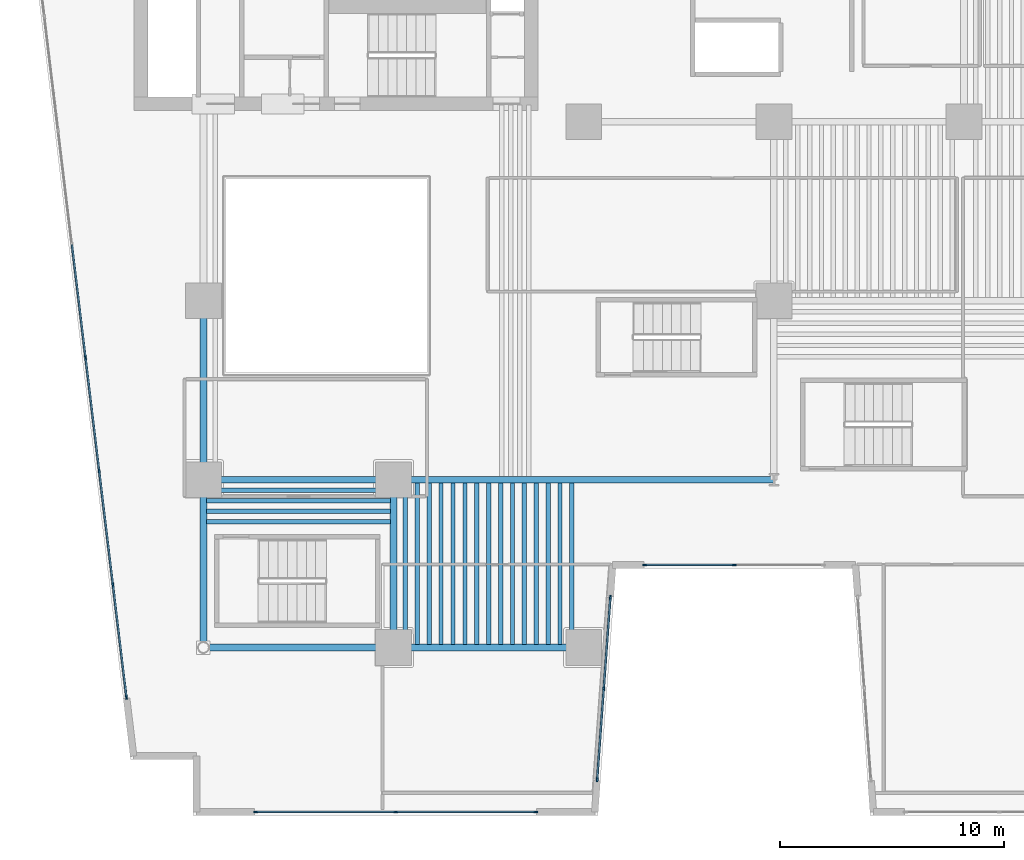
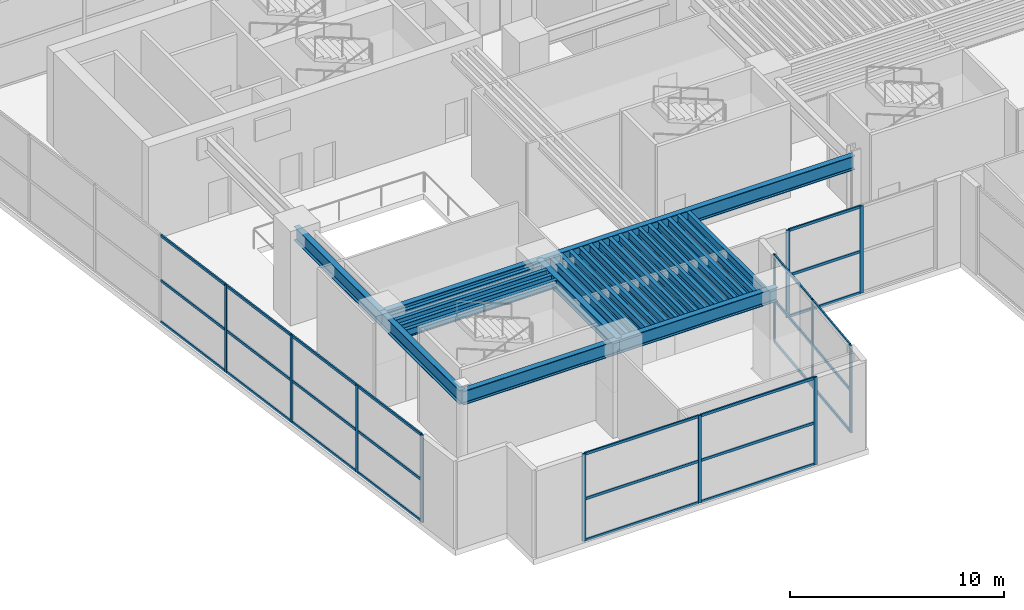
# One storey, part 2 of 16: 39 members, 26 beams, 4 elements without a shape of their own.
"""IFC4 building model written with IfcOpenShell, lengths in metres."""

from ifc_helpers import new_model, si_unit, direction, frame, origin, origin_2d, place, context, subcontext, project, spatial, rectangle, i_section, extrude, material, layer, layer_set, material_profile, profile_set, type_object, element, aggregate, save


model = new_model("IFC4")

# Units and contexts
model_context = context("Model", 3, precision=1e-05, world=origin(), true_north=direction((0.0, 1.0)))
body_context = subcontext(model_context, "Body", "Model", "MODEL_VIEW")
ifc_project = project(units=[si_unit("LENGTHUNIT", "METRE"), si_unit("AREAUNIT", "SQUARE_METRE"), si_unit("VOLUMEUNIT", "CUBIC_METRE"), si_unit("PLANEANGLEUNIT", "RADIAN"), si_unit("MASSUNIT", "GRAM", prefix="KILO")], contexts=[model_context])

# Site, building, storey
site_placement = place(None, origin())
site = spatial("IfcSite", under=ifc_project, at=site_placement, CompositionType="ELEMENT")
building_placement = place(site_placement, origin())
building = spatial("IfcBuilding", under=site, at=building_placement, Name="Caeloran Harvest Quay", CompositionType="ELEMENT")
storey_placement = place(building_placement, frame((0.0, 0.0, 16.199951171875)))
storey = spatial("IfcBuildingStorey", under=building, at=storey_placement, Name="L04", CompositionType="ELEMENT", Elevation=16.199951171875)

# Beams
ifc_material_1 = material(Name="Steel S355J2", Category="steel")
ifc_material_profile_1 = material_profile(ifc_material_1, i_section(OverallWidth=0.300048828125, OverallDepth=0.800048828125, WebThickness=0.017578125, FlangeThickness=0.032958984375, FilletRadius=0.030029296875, at=origin_2d()), Name="HE 800 B")
ifc_profile_set_1 = profile_set([ifc_material_profile_1], Name="Steel S355J2")
beam_type_1 = type_object("IfcBeamType", Name="BM-PG-1-HE_800_B", PredefinedType="BEAM", material=ifc_profile_set_1)
for number, where, z_axis, x_axis, name in (
    (1, (8.5, 7.5, 4.60009765625), (1.0, 0.0, 0.0), (0.0, 1.0, 0.0), "L04 Primary East-West Girder Y=7.5"),
    (2, (17.0, 7.5, 4.60009765625), (1.0, 0.0, 0.0), (0.0, 1.0, 0.0), "L04 Primary East-West Girder Y=7.5"),
    (3, (8.5, 15.0, 4.60009765625), (1.0, 0.0, 0.0), (0.0, 1.0, 0.0), "L04 Primary East-West Girder Y=15.0"),
):
    element("IfcBeam", number, at=place(storey_placement, frame(where, z_axis=z_axis, x_axis=x_axis)), inside=storey, type_object=beam_type_1, Name=name, PredefinedType="BEAM", context=body_context, shape_type="SweptSolid", body=[
        extrude(i_section(OverallWidth=0.300048828125, OverallDepth=0.800048828125, WebThickness=0.017578125, FlangeThickness=0.032958984375, FilletRadius=0.030029296875, at=origin_2d()), origin(), (0.0, 0.0, 1.0), 8.5),
    ])
beam_1_placement = place(storey_placement, frame((17.0, 15.0, 4.60009765625), z_axis=(1.0, 0.0, 0.0), x_axis=(0.0, 1.0, 0.0)))
element("IfcBeam", 4, at=beam_1_placement, inside=storey, type_object=beam_type_1, Name="L04 Primary East-West Girder Y=15.0", PredefinedType="BEAM", context=body_context, shape_type="SweptSolid", body=[
    extrude(i_section(OverallWidth=0.300048828125, OverallDepth=0.800048828125, WebThickness=0.017578125, FlangeThickness=0.032958984375, FilletRadius=0.030029296875, at=origin_2d()), origin(), (0.0, 0.0, 1.0), 17.0),
])
beam_2_placement = place(storey_placement, frame((8.5, 7.5, 4.60009765625), z_axis=(0.0, 1.0, 0.0), x_axis=(-1.0, 0.0, 0.0)))
element("IfcBeam", 5, at=beam_2_placement, inside=storey, type_object=beam_type_1, Name="L04 Primary North-South Girder X=8.5", PredefinedType="BEAM", context=body_context, shape_type="SweptSolid", body=[
    extrude(i_section(OverallWidth=0.300048828125, OverallDepth=0.800048828125, WebThickness=0.017578125, FlangeThickness=0.032958984375, FilletRadius=0.030029296875, at=origin_2d()), origin(), (0.0, 0.0, 1.0), 7.5),
])
beam_3_placement = place(storey_placement, frame((8.5, 15.0, 4.60009765625), z_axis=(0.0, 1.0, 0.0), x_axis=(-1.0, 0.0, 0.0)))
element("IfcBeam", 6, at=beam_3_placement, inside=storey, type_object=beam_type_1, Name="L04 Primary North-South Girder X=8.5", PredefinedType="BEAM", context=body_context, shape_type="SweptSolid", body=[
    extrude(i_section(OverallWidth=0.300048828125, OverallDepth=0.800048828125, WebThickness=0.017578125, FlangeThickness=0.032958984375, FilletRadius=0.030029296875, at=origin_2d()), origin(), (0.0, 0.0, 1.0), 8.0),
])
beam_4_placement = place(storey_placement, frame((17.0, 7.5, 4.60009765625), z_axis=(0.0, 1.0, 0.0), x_axis=(-1.0, 0.0, 0.0)))
element("IfcBeam", 7, at=beam_4_placement, inside=storey, type_object=beam_type_1, Name="L04 Primary North-South Girder X=17.0", PredefinedType="BEAM", context=body_context, shape_type="SweptSolid", body=[
    extrude(i_section(OverallWidth=0.300048828125, OverallDepth=0.800048828125, WebThickness=0.017578125, FlangeThickness=0.032958984375, FilletRadius=0.030029296875, at=origin_2d()), origin(), (0.0, 0.0, 1.0), 7.5),
])
ifc_material_profile_2 = material_profile(ifc_material_1, i_section(OverallWidth=0.199951171875, OverallDepth=0.5, WebThickness=0.01025390625, FlangeThickness=0.01611328125, FilletRadius=0.02099609375, at=origin_2d()), Name="IPE 500")
ifc_profile_set_2 = profile_set([ifc_material_profile_2], Name="Steel S355J2")
beam_type_2 = type_object("IfcBeamType", Name="BM-SB-2-IPE_500", PredefinedType="JOIST", material=ifc_profile_set_2)
for number, where, z_axis, x_axis, name in (
    (8, (17.53125, 7.64501953125, 4.75), (0.0, 1.0, 0.0), (-1.0, 0.0, 0.0), "L04 Secondary Composite Joist"),
    (9, (18.59375, 7.64501953125, 4.75), (0.0, 1.0, 0.0), (-1.0, 0.0, 0.0), "L04 Secondary Composite Joist"),
    (10, (19.65625, 7.64501953125, 4.75), (0.0, 1.0, 0.0), (-1.0, 0.0, 0.0), "L04 Secondary Composite Joist"),
    (11, (20.71875, 7.64501953125, 4.75), (0.0, 1.0, 0.0), (-1.0, 0.0, 0.0), "L04 Secondary Composite Joist"),
    (12, (21.78125, 7.64501953125, 4.75), (0.0, 1.0, 0.0), (-1.0, 0.0, 0.0), "L04 Secondary Composite Joist"),
    (13, (22.84375, 7.64501953125, 4.75), (0.0, 1.0, 0.0), (-1.0, 0.0, 0.0), "L04 Secondary Composite Joist"),
    (14, (23.90625, 7.64501953125, 4.75), (0.0, 1.0, 0.0), (-1.0, 0.0, 0.0), "L04 Secondary Composite Joist"),
    (15, (24.96875, 7.64501953125, 4.75), (0.0, 1.0, 0.0), (-1.0, 0.0, 0.0), "L04 Secondary Composite Joist"),
):
    element("IfcBeam", number, at=place(storey_placement, frame(where, z_axis=z_axis, x_axis=x_axis)), inside=storey, type_object=beam_type_2, Name=name, PredefinedType="JOIST", context=body_context, shape_type="SweptSolid", body=[
        extrude(i_section(OverallWidth=0.199951171875, OverallDepth=0.5, WebThickness=0.01025390625, FlangeThickness=0.01611328125, FilletRadius=0.02099609375, at=origin_2d()), origin(), (0.0, 0.0, 1.0), 7.2099609375),
    ])
for number, where, z_axis, x_axis, name in (
    (16, (8.64501953125, 13.59375, 4.75), (1.0, 0.0, 0.0), (0.0, 1.0, 0.0), "L04 Secondary East-West Composite Joist"),
    (17, (8.64501953125, 14.53125, 4.75), (1.0, 0.0, 0.0), (0.0, 1.0, 0.0), "L04 Secondary East-West Composite Joist"),
):
    element("IfcBeam", number, at=place(storey_placement, frame(where, z_axis=z_axis, x_axis=x_axis)), inside=storey, type_object=beam_type_2, Name=name, PredefinedType="JOIST", context=body_context, shape_type="SweptSolid", body=[
        extrude(i_section(OverallWidth=0.199951171875, OverallDepth=0.5, WebThickness=0.01025390625, FlangeThickness=0.01611328125, FilletRadius=0.02099609375, at=origin_2d()), origin(), (0.0, 0.0, 1.0), 8.2099609375),
    ])
ifc_material_profile_3 = material_profile(ifc_material_1, i_section(OverallWidth=0.18994140625, OverallDepth=0.449951171875, WebThickness=0.009521484375, FlangeThickness=0.0146484375, FilletRadius=0.02099609375, at=origin_2d()), Name="IPE 450")
ifc_profile_set_3 = profile_set([ifc_material_profile_3], Name="Steel S355J2")
beam_type_3 = type_object("IfcBeamType", Name="BM-SB-3-IPE_450", PredefinedType="JOIST", material=ifc_profile_set_3)
for number, where, z_axis, x_axis, name in (
    (18, (18.0625, 7.64501953125, 4.775146484375), (0.0, 1.0, 0.0), (-1.0, 0.0, 0.0), "L04 Secondary Composite Joist"),
    (19, (19.125, 7.64501953125, 4.775146484375), (0.0, 1.0, 0.0), (-1.0, 0.0, 0.0), "L04 Secondary Composite Joist"),
    (20, (20.1875, 7.64501953125, 4.775146484375), (0.0, 1.0, 0.0), (-1.0, 0.0, 0.0), "L04 Secondary Composite Joist"),
    (21, (21.25, 7.64501953125, 4.775146484375), (0.0, 1.0, 0.0), (-1.0, 0.0, 0.0), "L04 Secondary Composite Joist"),
    (22, (22.3125, 7.64501953125, 4.775146484375), (0.0, 1.0, 0.0), (-1.0, 0.0, 0.0), "L04 Secondary Composite Joist"),
    (23, (23.375, 7.64501953125, 4.775146484375), (0.0, 1.0, 0.0), (-1.0, 0.0, 0.0), "L04 Secondary Composite Joist"),
    (24, (24.4375, 7.64501953125, 4.775146484375), (0.0, 1.0, 0.0), (-1.0, 0.0, 0.0), "L04 Secondary Composite Joist"),
):
    element("IfcBeam", number, at=place(storey_placement, frame(where, z_axis=z_axis, x_axis=x_axis)), inside=storey, type_object=beam_type_3, Name=name, PredefinedType="JOIST", context=body_context, shape_type="SweptSolid", body=[
        extrude(i_section(OverallWidth=0.18994140625, OverallDepth=0.449951171875, WebThickness=0.009521484375, FlangeThickness=0.0146484375, FilletRadius=0.02099609375, at=origin_2d()), origin(), (0.0, 0.0, 1.0), 7.2099609375),
    ])
for number, where, z_axis, x_axis, name in (
    (25, (8.64501953125, 13.125, 4.775146484375), (1.0, 0.0, 0.0), (0.0, 1.0, 0.0), "L04 Secondary East-West Composite Joist"),
    (26, (8.64501953125, 14.0625, 4.775146484375), (1.0, 0.0, 0.0), (0.0, 1.0, 0.0), "L04 Secondary East-West Composite Joist"),
):
    element("IfcBeam", number, at=place(storey_placement, frame(where, z_axis=z_axis, x_axis=x_axis)), inside=storey, type_object=beam_type_3, Name=name, PredefinedType="JOIST", context=body_context, shape_type="SweptSolid", body=[
        extrude(i_section(OverallWidth=0.18994140625, OverallDepth=0.449951171875, WebThickness=0.009521484375, FlangeThickness=0.0146484375, FilletRadius=0.02099609375, at=origin_2d()), origin(), (0.0, 0.0, 1.0), 8.2099609375),
    ])

# Curtain wall, members
ifc_material_2 = material(Name="Aluminium 6063-T6 and Low-E Glazing", Category="aluminium")
ifc_layer = layer(ifc_material_2, 0.179931640625, Name="Aluminium 6063-T6 and Low-E Glazing")
ifc_layer_set = layer_set([ifc_layer], Name="Aluminium 6063-T6 and Low-E Glazing")
curtain_wall_type = type_object("IfcCurtainWallType", Name="CW-SYS-CW-1", PredefinedType="USERDEFINED", material=ifc_layer_set)
curtain_wall_1_placement = place(storey_placement, origin())
curtain_wall_1 = element("IfcCurtainWall", 27, at=curtain_wall_1_placement, inside=storey, type_object=curtain_wall_type, Name="L04 Unitised Curtain Wall CW-1 Run 3", ObjectType="CURTAIN_WALL", PredefinedType="USERDEFINED")
ifc_material_3 = material(Name="Aluminium 6063-T6", Category="aluminium")
ifc_material_profile_4 = material_profile(ifc_material_3, rectangle(XDim=0.080078125, YDim=0.179931640625, at=origin_2d()), Name="CW-MULLION-180")
ifc_profile_set_4 = profile_set([ifc_material_profile_4], Name="Aluminium 6063-T6")
member_type_1 = type_object("IfcMemberType", Name="CW-MULLION-180", PredefinedType="MULLION", material=ifc_profile_set_4)
member_1_placement = place(storey_placement, frame((5.059814453125, 5.27099609375, 0.0), z_axis=(0.0, 0.0, 1.0), x_axis=(-0.992815527762, -0.11965503681, 0.0)))
member_1 = element("IfcMember", 28, at=member_1_placement, type_object=member_type_1, Name="CW-1 mullion 1", PredefinedType="MULLION", context=body_context, shape_type="SweptSolid", body=[
    extrude(rectangle(XDim=0.080078125, YDim=0.179931640625, at=origin_2d()), origin(), (0.0, 0.0, 1.0), 5.0),
])
member_2_placement = place(storey_placement, frame((4.45263671875, 10.30810546875, 0.0), z_axis=(0.0, 0.0, 1.0), x_axis=(-0.992815527762, -0.11965503681, 0.0)))
member_2 = element("IfcMember", 29, at=member_2_placement, type_object=member_type_1, Name="CW-1 mullion 2", PredefinedType="MULLION", context=body_context, shape_type="SweptSolid", body=[
    extrude(rectangle(XDim=0.080078125, YDim=0.179931640625, at=origin_2d()), origin(), (0.0, 0.0, 1.0), 5.0),
])
member_3_placement = place(storey_placement, frame((3.8408203125, 15.384765625, 0.0), z_axis=(0.0, 0.0, 1.0), x_axis=(-0.992815527762, -0.11965503681, 0.0)))
member_3 = element("IfcMember", 30, at=member_3_placement, type_object=member_type_1, Name="CW-1 mullion 3", PredefinedType="MULLION", context=body_context, shape_type="SweptSolid", body=[
    extrude(rectangle(XDim=0.080078125, YDim=0.179931640625, at=origin_2d()), origin(), (0.0, 0.0, 1.0), 5.0),
])
member_4_placement = place(storey_placement, frame((3.22900390625, 20.461669921875, 0.0), z_axis=(0.0, 0.0, 1.0), x_axis=(-0.992815527762, -0.11965503681, 0.0)))
member_4 = element("IfcMember", 31, at=member_4_placement, type_object=member_type_1, Name="CW-1 mullion 4", PredefinedType="MULLION", context=body_context, shape_type="SweptSolid", body=[
    extrude(rectangle(XDim=0.080078125, YDim=0.179931640625, at=origin_2d()), origin(), (0.0, 0.0, 1.0), 5.0),
])

curtain_wall_2_placement = place(storey_placement, origin())
curtain_wall_2 = element("IfcCurtainWall", 32, at=curtain_wall_2_placement, inside=storey, type_object=curtain_wall_type, Name="L04 Unitised Curtain Wall CW-1 Run 14", ObjectType="CURTAIN_WALL", PredefinedType="USERDEFINED")
member_5_placement = place(storey_placement, frame((32.219970703125, 11.18994140625, 0.0), z_axis=(0.0, 0.0, 1.0), x_axis=(0.0, -1.0, 0.0)))
member_5 = element("IfcMember", 33, at=member_5_placement, type_object=member_type_1, Name="CW-1 mullion 2", PredefinedType="MULLION", context=body_context, shape_type="SweptSolid", body=[
    extrude(rectangle(XDim=0.080078125, YDim=0.179931640625, at=origin_2d()), origin(), (0.0, 0.0, 1.0), 5.0),
])
member_6_placement = place(storey_placement, frame((28.236572265625, 11.18994140625, 0.0), z_axis=(0.0, 0.0, 1.0), x_axis=(0.0, -1.0, 0.0)))
member_6 = element("IfcMember", 34, at=member_6_placement, type_object=member_type_1, Name="CW-1 mullion 3", PredefinedType="MULLION", context=body_context, shape_type="SweptSolid", body=[
    extrude(rectangle(XDim=0.080078125, YDim=0.179931640625, at=origin_2d()), origin(), (0.0, 0.0, 1.0), 5.0),
])

curtain_wall_3_placement = place(storey_placement, origin())
curtain_wall_3 = element("IfcCurtainWall", 35, at=curtain_wall_3_placement, inside=storey, type_object=curtain_wall_type, Name="L04 Unitised Curtain Wall CW-1 Run 15", ObjectType="CURTAIN_WALL", PredefinedType="USERDEFINED")
member_7_placement = place(storey_placement, frame((26.6923828125, 9.75390625, 0.0), z_axis=(0.0, 0.0, 1.0), x_axis=(0.997385061295, -0.072270599173, 0.0)))
member_7 = element("IfcMember", 36, at=member_7_placement, type_object=member_type_1, Name="CW-1 mullion 1", PredefinedType="MULLION", context=body_context, shape_type="SweptSolid", body=[
    extrude(rectangle(XDim=0.080078125, YDim=0.179931640625, at=origin_2d()), origin(), (0.0, 0.0, 1.0), 5.0),
])
member_8_placement = place(storey_placement, frame((26.396484375, 5.670166015625, 0.0), z_axis=(0.0, 0.0, 1.0), x_axis=(0.997385061295, -0.072270599173, 0.0)))
member_8 = element("IfcMember", 37, at=member_8_placement, type_object=member_type_1, Name="CW-1 mullion 2", PredefinedType="MULLION", context=body_context, shape_type="SweptSolid", body=[
    extrude(rectangle(XDim=0.080078125, YDim=0.179931640625, at=origin_2d()), origin(), (0.0, 0.0, 1.0), 5.0),
])
member_9_placement = place(storey_placement, frame((26.1005859375, 1.586181640625, 0.0), z_axis=(0.0, 0.0, 1.0), x_axis=(0.997385061295, -0.072270599173, 0.0)))
member_9 = element("IfcMember", 38, at=member_9_placement, type_object=member_type_1, Name="CW-1 mullion 3", PredefinedType="MULLION", context=body_context, shape_type="SweptSolid", body=[
    extrude(rectangle(XDim=0.080078125, YDim=0.179931640625, at=origin_2d()), origin(), (0.0, 0.0, 1.0), 5.0),
])

curtain_wall_4_placement = place(storey_placement, origin())
curtain_wall_4 = element("IfcCurtainWall", 39, at=curtain_wall_4_placement, inside=storey, type_object=curtain_wall_type, Name="L04 Unitised Curtain Wall CW-1 Run 16", ObjectType="CURTAIN_WALL", PredefinedType="USERDEFINED")
member_10_placement = place(storey_placement, frame((23.3564453125, 0.14990234375, 0.0), z_axis=(0.0, 0.0, 1.0), x_axis=(0.0, -1.0, 0.0)))
member_10 = element("IfcMember", 40, at=member_10_placement, type_object=member_type_1, Name="CW-1 mullion 1", PredefinedType="MULLION", context=body_context, shape_type="SweptSolid", body=[
    extrude(rectangle(XDim=0.080078125, YDim=0.179931640625, at=origin_2d()), origin(), (0.0, 0.0, 1.0), 5.0),
])
member_11_placement = place(storey_placement, frame((17.09521484375, 0.14990234375, 0.0), z_axis=(0.0, 0.0, 1.0), x_axis=(0.0, -1.0, 0.0)))
member_11 = element("IfcMember", 41, at=member_11_placement, type_object=member_type_1, Name="CW-1 mullion 2", PredefinedType="MULLION", context=body_context, shape_type="SweptSolid", body=[
    extrude(rectangle(XDim=0.080078125, YDim=0.179931640625, at=origin_2d()), origin(), (0.0, 0.0, 1.0), 5.0),
])
member_12_placement = place(storey_placement, frame((10.833984375, 0.14990234375, 0.0), z_axis=(0.0, 0.0, 1.0), x_axis=(0.0, -1.0, 0.0)))
member_12 = element("IfcMember", 42, at=member_12_placement, type_object=member_type_1, Name="CW-1 mullion 3", PredefinedType="MULLION", context=body_context, shape_type="SweptSolid", body=[
    extrude(rectangle(XDim=0.080078125, YDim=0.179931640625, at=origin_2d()), origin(), (0.0, 0.0, 1.0), 5.0),
])

# Member
ifc_material_profile_5 = material_profile(ifc_material_3, rectangle(XDim=0.080078125, YDim=0.14990234375, at=origin_2d()), Name="CW-TRANSOM-150")
ifc_profile_set_5 = profile_set([ifc_material_profile_5], Name="Aluminium 6063-T6")
member_type_2 = type_object("IfcMemberType", Name="CW-TRANSOM-150", PredefinedType="USERDEFINED", material=ifc_profile_set_5)
member_13_placement = place(storey_placement, frame((5.054931640625, 5.310791015625, 0.0400390625), z_axis=(-0.119640688841, 0.992817256888, 0.0), x_axis=(-0.992817256888, -0.119640688841, 0.0)))
member_13 = element("IfcMember", 43, at=member_13_placement, type_object=member_type_2, Name="CW-1 transom 1.1", ObjectType="TRANSOM", PredefinedType="USERDEFINED", context=body_context, shape_type="SweptSolid", body=[
    extrude(rectangle(XDim=0.080078125, YDim=0.14990234375, at=origin_2d()), origin(), (0.0, 0.0, 1.0), 4.993408203125),
])

member_14_placement = place(storey_placement, frame((5.054931640625, 5.310791015625, 2.400146484375), z_axis=(-0.119640688841, 0.992817256888, 0.0), x_axis=(-0.992817256888, -0.119640688841, 0.0)))
member_14 = element("IfcMember", 44, at=member_14_placement, type_object=member_type_2, Name="CW-1 transom 1.2", ObjectType="TRANSOM", PredefinedType="USERDEFINED", context=body_context, shape_type="SweptSolid", body=[
    extrude(rectangle(XDim=0.080078125, YDim=0.14990234375, at=origin_2d()), origin(), (0.0, 0.0, 1.0), 4.993408203125),
])

member_15_placement = place(storey_placement, frame((5.054931640625, 5.310791015625, 4.9599609375), z_axis=(-0.119640688841, 0.992817256888, 0.0), x_axis=(-0.992817256888, -0.119640688841, 0.0)))
member_15 = element("IfcMember", 45, at=member_15_placement, type_object=member_type_2, Name="CW-1 transom 1.3", ObjectType="TRANSOM", PredefinedType="USERDEFINED", context=body_context, shape_type="SweptSolid", body=[
    extrude(rectangle(XDim=0.080078125, YDim=0.14990234375, at=origin_2d()), origin(), (0.0, 0.0, 1.0), 4.993408203125),
])

member_16_placement = place(storey_placement, frame((4.447998046875, 10.347900390625, 0.0400390625), z_axis=(-0.119657779641, 0.99281519719, 0.0), x_axis=(-0.99281519719, -0.119657779641, 0.0)))
member_16 = element("IfcMember", 46, at=member_16_placement, type_object=member_type_2, Name="CW-1 transom 2.1", ObjectType="TRANSOM", PredefinedType="USERDEFINED", context=body_context, shape_type="SweptSolid", body=[
    extrude(rectangle(XDim=0.080078125, YDim=0.14990234375, at=origin_2d()), origin(), (0.0, 0.0, 1.0), 5.033447265625),
])

member_17_placement = place(storey_placement, frame((4.447998046875, 10.347900390625, 2.400146484375), z_axis=(-0.119657779641, 0.99281519719, 0.0), x_axis=(-0.99281519719, -0.119657779641, 0.0)))
member_17 = element("IfcMember", 47, at=member_17_placement, type_object=member_type_2, Name="CW-1 transom 2.2", ObjectType="TRANSOM", PredefinedType="USERDEFINED", context=body_context, shape_type="SweptSolid", body=[
    extrude(rectangle(XDim=0.080078125, YDim=0.14990234375, at=origin_2d()), origin(), (0.0, 0.0, 1.0), 5.033447265625),
])

member_18_placement = place(storey_placement, frame((4.447998046875, 10.347900390625, 4.9599609375), z_axis=(-0.119657779641, 0.99281519719, 0.0), x_axis=(-0.99281519719, -0.119657779641, 0.0)))
member_18 = element("IfcMember", 48, at=member_18_placement, type_object=member_type_2, Name="CW-1 transom 2.3", ObjectType="TRANSOM", PredefinedType="USERDEFINED", context=body_context, shape_type="SweptSolid", body=[
    extrude(rectangle(XDim=0.080078125, YDim=0.14990234375, at=origin_2d()), origin(), (0.0, 0.0, 1.0), 5.033447265625),
])

member_19_placement = place(storey_placement, frame((3.836181640625, 15.424560546875, 0.0400390625), z_axis=(-0.119657779641, 0.99281519719, 0.0), x_axis=(-0.99281519719, -0.119657779641, 0.0)))
member_19 = element("IfcMember", 49, at=member_19_placement, type_object=member_type_2, Name="CW-1 transom 3.1", ObjectType="TRANSOM", PredefinedType="USERDEFINED", context=body_context, shape_type="SweptSolid", body=[
    extrude(rectangle(XDim=0.080078125, YDim=0.14990234375, at=origin_2d()), origin(), (0.0, 0.0, 1.0), 5.033447265625),
])

member_20_placement = place(storey_placement, frame((3.836181640625, 15.424560546875, 2.400146484375), z_axis=(-0.119657779641, 0.99281519719, 0.0), x_axis=(-0.99281519719, -0.119657779641, 0.0)))
member_20 = element("IfcMember", 50, at=member_20_placement, type_object=member_type_2, Name="CW-1 transom 3.2", ObjectType="TRANSOM", PredefinedType="USERDEFINED", context=body_context, shape_type="SweptSolid", body=[
    extrude(rectangle(XDim=0.080078125, YDim=0.14990234375, at=origin_2d()), origin(), (0.0, 0.0, 1.0), 5.033447265625),
])

member_21_placement = place(storey_placement, frame((3.836181640625, 15.424560546875, 4.9599609375), z_axis=(-0.119657779641, 0.99281519719, 0.0), x_axis=(-0.99281519719, -0.119657779641, 0.0)))
member_21 = element("IfcMember", 51, at=member_21_placement, type_object=member_type_2, Name="CW-1 transom 3.3", ObjectType="TRANSOM", PredefinedType="USERDEFINED", context=body_context, shape_type="SweptSolid", body=[
    extrude(rectangle(XDim=0.080078125, YDim=0.14990234375, at=origin_2d()), origin(), (0.0, 0.0, 1.0), 5.033447265625),
])

member_22_placement = place(storey_placement, frame((3.22412109375, 20.501220703125, 0.0400390625), z_axis=(-0.119604210745, 0.992821652046, 0.0), x_axis=(-0.992821652046, -0.119604210745, 0.0)))
member_22 = element("IfcMember", 52, at=member_22_placement, type_object=member_type_2, Name="CW-1 transom 4.1", ObjectType="TRANSOM", PredefinedType="USERDEFINED", context=body_context, shape_type="SweptSolid", body=[
    extrude(rectangle(XDim=0.080078125, YDim=0.14990234375, at=origin_2d()), origin(), (0.0, 0.0, 1.0), 5.03369140625),
])

member_23_placement = place(storey_placement, frame((3.22412109375, 20.501220703125, 2.400146484375), z_axis=(-0.119604210745, 0.992821652046, 0.0), x_axis=(-0.992821652046, -0.119604210745, 0.0)))
member_23 = element("IfcMember", 53, at=member_23_placement, type_object=member_type_2, Name="CW-1 transom 4.2", ObjectType="TRANSOM", PredefinedType="USERDEFINED", context=body_context, shape_type="SweptSolid", body=[
    extrude(rectangle(XDim=0.080078125, YDim=0.14990234375, at=origin_2d()), origin(), (0.0, 0.0, 1.0), 5.03369140625),
])

member_24_placement = place(storey_placement, frame((3.22412109375, 20.501220703125, 4.9599609375), z_axis=(-0.119604210745, 0.992821652046, 0.0), x_axis=(-0.992821652046, -0.119604210745, 0.0)))
member_24 = element("IfcMember", 54, at=member_24_placement, type_object=member_type_2, Name="CW-1 transom 4.3", ObjectType="TRANSOM", PredefinedType="USERDEFINED", context=body_context, shape_type="SweptSolid", body=[
    extrude(rectangle(XDim=0.080078125, YDim=0.14990234375, at=origin_2d()), origin(), (0.0, 0.0, 1.0), 5.03369140625),
])

aggregate(curtain_wall_1, [member_1, member_2, member_3, member_4, member_13, member_14, member_15, member_16, member_17, member_18, member_19, member_20, member_21, member_22, member_23, member_24])

member_25_placement = place(storey_placement, frame((32.179931640625, 11.18994140625, 0.0400390625), z_axis=(-1.0, 0.0, 0.0), x_axis=(0.0, -1.0, 0.0)))
member_25 = element("IfcMember", 55, at=member_25_placement, type_object=member_type_2, Name="CW-1 transom 2.1", ObjectType="TRANSOM", PredefinedType="USERDEFINED", context=body_context, shape_type="SweptSolid", body=[
    extrude(rectangle(XDim=0.080078125, YDim=0.14990234375, at=origin_2d()), origin(), (0.0, 0.0, 1.0), 3.9033203125),
])

member_26_placement = place(storey_placement, frame((32.179931640625, 11.18994140625, 2.400146484375), z_axis=(-1.0, 0.0, 0.0), x_axis=(0.0, -1.0, 0.0)))
member_26 = element("IfcMember", 56, at=member_26_placement, type_object=member_type_2, Name="CW-1 transom 2.2", ObjectType="TRANSOM", PredefinedType="USERDEFINED", context=body_context, shape_type="SweptSolid", body=[
    extrude(rectangle(XDim=0.080078125, YDim=0.14990234375, at=origin_2d()), origin(), (0.0, 0.0, 1.0), 3.9033203125),
])

member_27_placement = place(storey_placement, frame((32.179931640625, 11.18994140625, 4.9599609375), z_axis=(-1.0, 0.0, 0.0), x_axis=(0.0, -1.0, 0.0)))
member_27 = element("IfcMember", 57, at=member_27_placement, type_object=member_type_2, Name="CW-1 transom 2.3", ObjectType="TRANSOM", PredefinedType="USERDEFINED", context=body_context, shape_type="SweptSolid", body=[
    extrude(rectangle(XDim=0.080078125, YDim=0.14990234375, at=origin_2d()), origin(), (0.0, 0.0, 1.0), 3.9033203125),
])

aggregate(curtain_wall_2, [member_5, member_6, member_25, member_26, member_27])

member_28_placement = place(storey_placement, frame((26.689453125, 9.7138671875, 0.0400390625), z_axis=(-0.07224971041, -0.997386574677, 0.0), x_axis=(0.997386574677, -0.07224971041, 0.0)))
member_28 = element("IfcMember", 58, at=member_28_placement, type_object=member_type_2, Name="CW-1 transom 1.1", ObjectType="TRANSOM", PredefinedType="USERDEFINED", context=body_context, shape_type="SweptSolid", body=[
    extrude(rectangle(XDim=0.080078125, YDim=0.14990234375, at=origin_2d()), origin(), (0.0, 0.0, 1.0), 4.014404296875),
])

member_29_placement = place(storey_placement, frame((26.689453125, 9.7138671875, 2.400146484375), z_axis=(-0.07224971041, -0.997386574677, 0.0), x_axis=(0.997386574677, -0.07224971041, 0.0)))
member_29 = element("IfcMember", 59, at=member_29_placement, type_object=member_type_2, Name="CW-1 transom 1.2", ObjectType="TRANSOM", PredefinedType="USERDEFINED", context=body_context, shape_type="SweptSolid", body=[
    extrude(rectangle(XDim=0.080078125, YDim=0.14990234375, at=origin_2d()), origin(), (0.0, 0.0, 1.0), 4.014404296875),
])

member_30_placement = place(storey_placement, frame((26.689453125, 9.7138671875, 4.9599609375), z_axis=(-0.07224971041, -0.997386574677, 0.0), x_axis=(0.997386574677, -0.07224971041, 0.0)))
member_30 = element("IfcMember", 60, at=member_30_placement, type_object=member_type_2, Name="CW-1 transom 1.3", ObjectType="TRANSOM", PredefinedType="USERDEFINED", context=body_context, shape_type="SweptSolid", body=[
    extrude(rectangle(XDim=0.080078125, YDim=0.14990234375, at=origin_2d()), origin(), (0.0, 0.0, 1.0), 4.014404296875),
])

member_31_placement = place(storey_placement, frame((26.3935546875, 5.630126953125, 0.0400390625), z_axis=(-0.07224971041, -0.997386574677, 0.0), x_axis=(0.997386574677, -0.07224971041, 0.0)))
member_31 = element("IfcMember", 61, at=member_31_placement, type_object=member_type_2, Name="CW-1 transom 2.1", ObjectType="TRANSOM", PredefinedType="USERDEFINED", context=body_context, shape_type="SweptSolid", body=[
    extrude(rectangle(XDim=0.080078125, YDim=0.14990234375, at=origin_2d()), origin(), (0.0, 0.0, 1.0), 4.014404296875),
])

member_32_placement = place(storey_placement, frame((26.3935546875, 5.630126953125, 2.400146484375), z_axis=(-0.07224971041, -0.997386574677, 0.0), x_axis=(0.997386574677, -0.07224971041, 0.0)))
member_32 = element("IfcMember", 62, at=member_32_placement, type_object=member_type_2, Name="CW-1 transom 2.2", ObjectType="TRANSOM", PredefinedType="USERDEFINED", context=body_context, shape_type="SweptSolid", body=[
    extrude(rectangle(XDim=0.080078125, YDim=0.14990234375, at=origin_2d()), origin(), (0.0, 0.0, 1.0), 4.014404296875),
])

member_33_placement = place(storey_placement, frame((26.3935546875, 5.630126953125, 4.9599609375), z_axis=(-0.07224971041, -0.997386574677, 0.0), x_axis=(0.997386574677, -0.07224971041, 0.0)))
member_33 = element("IfcMember", 63, at=member_33_placement, type_object=member_type_2, Name="CW-1 transom 2.3", ObjectType="TRANSOM", PredefinedType="USERDEFINED", context=body_context, shape_type="SweptSolid", body=[
    extrude(rectangle(XDim=0.080078125, YDim=0.14990234375, at=origin_2d()), origin(), (0.0, 0.0, 1.0), 4.014404296875),
])

aggregate(curtain_wall_3, [member_7, member_8, member_9, member_28, member_29, member_30, member_31, member_32, member_33])

member_34_placement = place(storey_placement, frame((23.31640625, 0.14990234375, 0.0400390625), z_axis=(-1.0, 0.0, 0.0), x_axis=(0.0, -1.0, 0.0)))
member_34 = element("IfcMember", 64, at=member_34_placement, type_object=member_type_2, Name="CW-1 transom 1.1", ObjectType="TRANSOM", PredefinedType="USERDEFINED", context=body_context, shape_type="SweptSolid", body=[
    extrude(rectangle(XDim=0.080078125, YDim=0.14990234375, at=origin_2d()), origin(), (0.0, 0.0, 1.0), 6.18115234375),
])

member_35_placement = place(storey_placement, frame((23.31640625, 0.14990234375, 2.400146484375), z_axis=(-1.0, 0.0, 0.0), x_axis=(0.0, -1.0, 0.0)))
member_35 = element("IfcMember", 65, at=member_35_placement, type_object=member_type_2, Name="CW-1 transom 1.2", ObjectType="TRANSOM", PredefinedType="USERDEFINED", context=body_context, shape_type="SweptSolid", body=[
    extrude(rectangle(XDim=0.080078125, YDim=0.14990234375, at=origin_2d()), origin(), (0.0, 0.0, 1.0), 6.18115234375),
])

member_36_placement = place(storey_placement, frame((23.31640625, 0.14990234375, 4.9599609375), z_axis=(-1.0, 0.0, 0.0), x_axis=(0.0, -1.0, 0.0)))
member_36 = element("IfcMember", 66, at=member_36_placement, type_object=member_type_2, Name="CW-1 transom 1.3", ObjectType="TRANSOM", PredefinedType="USERDEFINED", context=body_context, shape_type="SweptSolid", body=[
    extrude(rectangle(XDim=0.080078125, YDim=0.14990234375, at=origin_2d()), origin(), (0.0, 0.0, 1.0), 6.18115234375),
])

member_37_placement = place(storey_placement, frame((17.05517578125, 0.14990234375, 0.0400390625), z_axis=(-1.0, 0.0, 0.0), x_axis=(0.0, -1.0, 0.0)))
member_37 = element("IfcMember", 67, at=member_37_placement, type_object=member_type_2, Name="CW-1 transom 2.1", ObjectType="TRANSOM", PredefinedType="USERDEFINED", context=body_context, shape_type="SweptSolid", body=[
    extrude(rectangle(XDim=0.080078125, YDim=0.14990234375, at=origin_2d()), origin(), (0.0, 0.0, 1.0), 6.18115234375),
])

member_38_placement = place(storey_placement, frame((17.05517578125, 0.14990234375, 2.400146484375), z_axis=(-1.0, 0.0, 0.0), x_axis=(0.0, -1.0, 0.0)))
member_38 = element("IfcMember", 68, at=member_38_placement, type_object=member_type_2, Name="CW-1 transom 2.2", ObjectType="TRANSOM", PredefinedType="USERDEFINED", context=body_context, shape_type="SweptSolid", body=[
    extrude(rectangle(XDim=0.080078125, YDim=0.14990234375, at=origin_2d()), origin(), (0.0, 0.0, 1.0), 6.18115234375),
])

member_39_placement = place(storey_placement, frame((17.05517578125, 0.14990234375, 4.9599609375), z_axis=(-1.0, 0.0, 0.0), x_axis=(0.0, -1.0, 0.0)))
member_39 = element("IfcMember", 69, at=member_39_placement, type_object=member_type_2, Name="CW-1 transom 2.3", ObjectType="TRANSOM", PredefinedType="USERDEFINED", context=body_context, shape_type="SweptSolid", body=[
    extrude(rectangle(XDim=0.080078125, YDim=0.14990234375, at=origin_2d()), origin(), (0.0, 0.0, 1.0), 6.18115234375),
])

aggregate(curtain_wall_4, [member_10, member_11, member_12, member_34, member_35, member_36, member_37, member_38, member_39])

save(model, "model.ifc")
